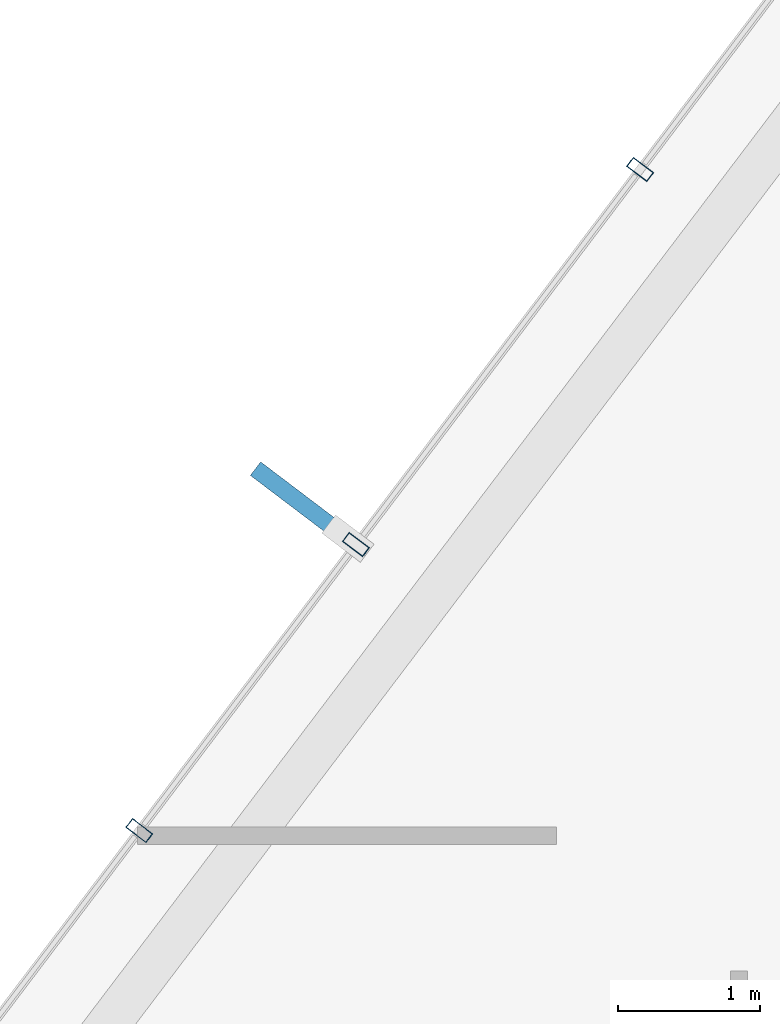
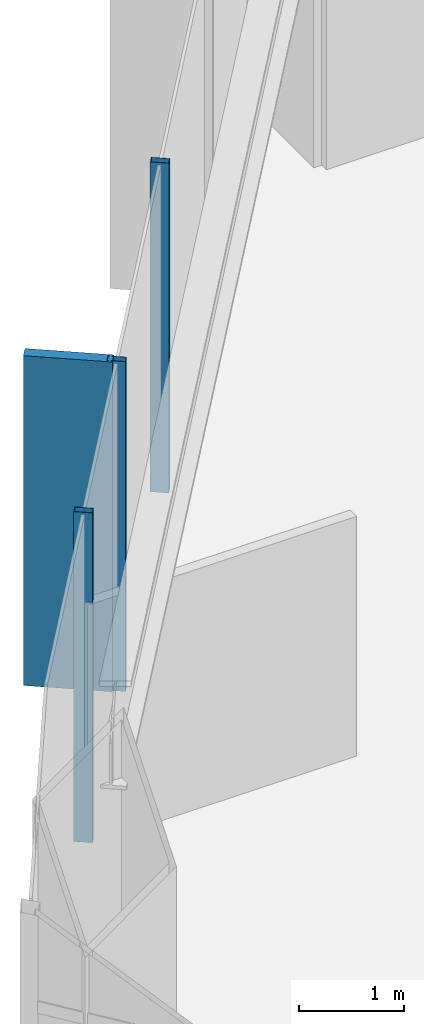
# One storey, part 10 of 25: 4 members, 1 element without a shape of its own.
"""IFC4 building model written with IfcOpenShell, lengths in metres."""

from ifc_helpers import new_model, si_unit, direction, frame, origin, origin_2d, place, context, subcontext, project, spatial, rectangle, hollow_rectangle, extrude, material, layer, layer_set, material_profile, profile_set, type_object, element, aggregate, save


model = new_model("IFC4")

# Units and contexts
model_context = context("Model", 3, precision=1e-05, world=origin(), true_north=direction((0.0, 1.0)))
body_context = subcontext(model_context, "Body", "Model", "MODEL_VIEW")
ifc_project = project(units=[si_unit("LENGTHUNIT", "METRE"), si_unit("AREAUNIT", "SQUARE_METRE"), si_unit("VOLUMEUNIT", "CUBIC_METRE"), si_unit("PLANEANGLEUNIT", "RADIAN"), si_unit("MASSUNIT", "GRAM", prefix="KILO")], contexts=[model_context])

# Site, building, storey
site_placement = place(None, origin())
site = spatial("IfcSite", under=ifc_project, at=site_placement, CompositionType="ELEMENT")
building_placement = place(site_placement, origin())
building = spatial("IfcBuilding", under=site, at=building_placement, Name="Zarrinselat Tower", CompositionType="ELEMENT")
storey_placement = place(building_placement, frame((0.0, 0.0, 39.780029296875)))
storey = spatial("IfcBuildingStorey", under=building, at=storey_placement, Name="L09", CompositionType="ELEMENT", Elevation=39.780029296875)

# Curtain wall, members
ifc_material_1 = material(Name="Extruded Aluminium Alloy EN AW-6063 T6", Category="aluminium")
ifc_layer = layer(ifc_material_1, 0.18505859375)
ifc_layer_set = layer_set([ifc_layer], Name="Extruded Aluminium Alloy EN AW-6063 T6")
curtain_wall_type = type_object("IfcCurtainWallType", Name="CWS-OFF", PredefinedType="NOTDEFINED", material=ifc_layer_set)
curtain_wall_placement = place(storey_placement, origin())
curtain_wall = element("IfcCurtainWall", 1, at=curtain_wall_placement, inside=storey, type_object=curtain_wall_type, Name="L09 Unitised Curtain Wall CW-L09-E02", PredefinedType="NOTDEFINED")
ifc_material_2 = material(Name="Extruded Aluminium Alloy EN AW-6063 T6", Category="aluminium")
ifc_material_profile_1 = material_profile(ifc_material_2, hollow_rectangle(XDim=0.080078125, YDim=0.179931640625, WallThickness=0.0048828125, at=origin_2d()), Name="RHS 180x80x5")
ifc_profile_set_1 = profile_set([ifc_material_profile_1], Name="Extruded Aluminium Alloy EN AW-6063 T6")
member_type_1 = type_object("IfcMemberType", Name="MEM-CW-MUL", PredefinedType="MULLION", material=ifc_profile_set_1)
member_1_placement = place(storey_placement, frame((21.805419921875, 42.1328125, 0.0), z_axis=(0.0, 0.0, 1.0), x_axis=(-0.603856912101, -0.797092735952, 0.0)))
member_1 = element("IfcMember", 2, at=member_1_placement, type_object=member_type_1, Name="CW-L09-E02 Mullion 4", PredefinedType="MULLION", context=body_context, shape_type="SweptSolid", body=[
    extrude(hollow_rectangle(XDim=0.080078125, YDim=0.179931640625, WallThickness=0.0048828125, at=origin_2d()), origin(), (0.0, 0.0, 1.0), 3.820068359375),
])
member_2_placement = place(storey_placement, frame((19.8076171875, 39.49560546875, 0.0), z_axis=(0.0, 0.0, 1.0), x_axis=(-0.603856912101, -0.797092735952, 0.0)))
member_2 = element("IfcMember", 3, at=member_2_placement, type_object=member_type_1, Name="CW-L09-E02 Mullion 5", PredefinedType="MULLION", context=body_context, shape_type="SweptSolid", body=[
    extrude(hollow_rectangle(XDim=0.080078125, YDim=0.179931640625, WallThickness=0.0048828125, at=origin_2d()), origin(), (0.0, 0.0, 1.0), 3.820068359375),
])
member_3_placement = place(storey_placement, frame((18.285400390625, 37.486083984375, 0.0), z_axis=(0.0, 0.0, 1.0), x_axis=(-0.603856912101, -0.797092735952, 0.0)))
member_3 = element("IfcMember", 4, at=member_3_placement, type_object=member_type_1, Name="CW-L09-E02 Mullion 6", PredefinedType="MULLION", context=body_context, shape_type="SweptSolid", body=[
    extrude(hollow_rectangle(XDim=0.080078125, YDim=0.179931640625, WallThickness=0.0048828125, at=origin_2d()), origin(), (0.0, 0.0, 1.0), 3.820068359375),
])
ifc_material_3 = material(Name="Honed Cream Travertine Stone", Category="masonry")
ifc_material_profile_2 = material_profile(ifc_material_3, rectangle(XDim=0.1201171875, YDim=0.85009765625, at=origin_2d()), Name="FIN 850x120")
ifc_profile_set_2 = profile_set([ifc_material_profile_2], Name="Honed Cream Travertine Stone")
member_type_2 = type_object("IfcMemberType", Name="MEM-STONE-FIN", PredefinedType="USERDEFINED", material=ifc_profile_set_2)
member_4_placement = place(storey_placement, frame((19.44091796875, 39.773193359375, 0.0), z_axis=(0.0, 0.0, 1.0), x_axis=(0.603856912101, 0.797092735952, 0.0)))
member_4 = element("IfcMember", 5, at=member_4_placement, type_object=member_type_2, Name="L09 Stone Shading Fin CW-L09-E02-05", ObjectType="FIN", PredefinedType="USERDEFINED", context=body_context, shape_type="SweptSolid", body=[
    extrude(rectangle(XDim=0.1201171875, YDim=0.85009765625, at=origin_2d()), origin(), (0.0, 0.0, 1.0), 3.820068359375),
])
aggregate(curtain_wall, [member_1, member_2, member_4, member_3])

save(model, "model.ifc")
